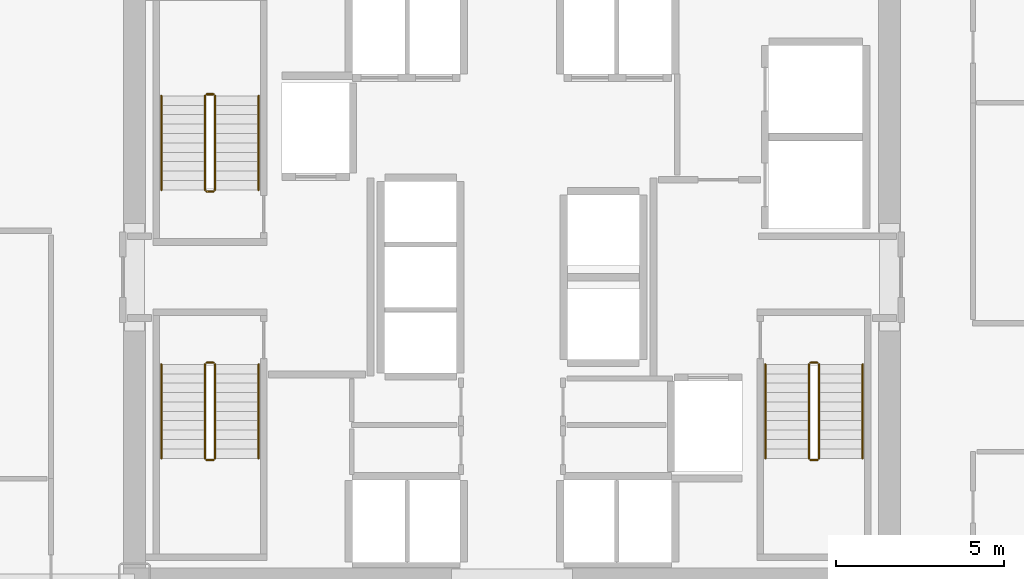
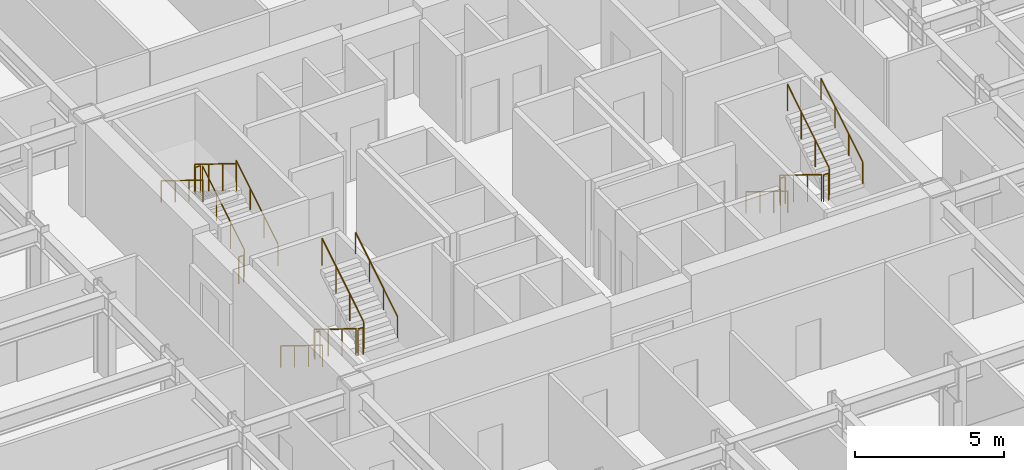
# One storey, part 26 of 26: 18 railings.
"""IFC4 building model written with IfcOpenShell, lengths in metres."""

import ifcopenshell
import ifcopenshell.guid

model = None  # the IFC model being written
_history = None  # IfcOwnerHistory: only IFC2X3 demands one
_inside = {}  # id of a spatial element -> (the spatial element, [elements in it])
_under = {}  # id of a project, library or spatial element -> (it, [spatial elements below it])
_declared = {}  # id of a project -> (the project, [libraries it declares])
_typed = {}  # id of a type object -> (the type object, [elements of that type])
_made_of = {}  # id of a material, layer set ... -> (it, [elements and type objects made of it])


def new_model(schema):
    """Start an empty IFC model of exactly this schema.

    Asked for "IFC4X3", IfcOpenShell would pick the latest addendum, in which some entities
    have other attributes; the version numbers below select the first issue.
    IFC2X3 requires an IfcOwnerHistory on every rooted entity: one is made here for all.
    """
    global model, _history
    if schema == "IFC4X3":
        model = ifcopenshell.file(schema_version=(4, 3, 0, 0))
    else:
        model = ifcopenshell.file(schema=schema)
    _inside.clear()
    _under.clear()
    _declared.clear()
    _typed.clear()
    _made_of.clear()
    _history = None
    if model.schema == "IFC2X3":
        org = make("IfcOrganization", Name="unknown")
        user = make(
            "IfcPersonAndOrganization",
            ThePerson=make("IfcPerson", FamilyName="unknown"),
            TheOrganization=org,
        )
        app = make(
            "IfcApplication",
            ApplicationDeveloper=org,
            Version="unknown",
            ApplicationFullName="unknown",
            ApplicationIdentifier="unknown",
        )
        _history = make(
            "IfcOwnerHistory",
            OwningUser=user,
            OwningApplication=app,
            ChangeAction="ADDED",
            CreationDate=0,
        )
    return model


def make(cls, **values):
    """One entity of the class cls with the attributes given. An attribute that is None is left unset."""
    return model.create_entity(
        cls, **{name: value for name, value in values.items() if value is not None}
    )


def rooted(cls, **values):
    """An entity with a GlobalId (a new one), such as an element, a storey or a relation."""
    return make(cls, GlobalId=ifcopenshell.guid.new(), OwnerHistory=_history, **values)


def si_unit(unit_type, name, prefix=None):
    """IfcSIUnit, for example si_unit("LENGTHUNIT", "METRE", prefix="MILLI")."""
    return make("IfcSIUnit", UnitType=unit_type, Prefix=prefix, Name=name)


def assignment(units):
    """IfcUnitAssignment: the units of a project."""
    return None if units is None else make("IfcUnitAssignment", Units=units)


def point(xyz):
    """IfcCartesianPoint."""
    return None if xyz is None else make("IfcCartesianPoint", Coordinates=xyz)


def direction(xyz):
    """IfcDirection."""
    return None if xyz is None else make("IfcDirection", DirectionRatios=xyz)


def frame(location, z_axis=None, x_axis=None):
    """IfcAxis2Placement3D, a coordinate frame: its origin and axes. An axis left out is left unset."""
    return make(
        "IfcAxis2Placement3D",
        Location=point(location),
        Axis=direction(z_axis),
        RefDirection=direction(x_axis),
    )


def frame_2d(location, x_axis=None):
    """IfcAxis2Placement2D, a coordinate frame in the plane: its origin and x axis."""
    return make(
        "IfcAxis2Placement2D", Location=point(location), RefDirection=direction(x_axis)
    )


def origin():
    """The frame at (0, 0, 0) with its axes left unset."""
    return frame((0.0, 0.0, 0.0))


def origin_2d():
    """The frame at (0, 0) in the plane with its x axis left unset."""
    return frame_2d((0.0, 0.0))


def place(relative_to, where):
    """IfcLocalPlacement: puts the frame where relative to a parent placement (None: the world)."""
    return make(
        "IfcLocalPlacement", PlacementRelTo=relative_to, RelativePlacement=where
    )


def context(
    kind, dimensions, precision=None, world=None, true_north=None, identifier=None
):
    """IfcGeometricRepresentationContext, for example the 3D "Model" context."""
    return make(
        "IfcGeometricRepresentationContext",
        ContextIdentifier=identifier,
        ContextType=kind,
        CoordinateSpaceDimension=dimensions,
        Precision=precision,
        WorldCoordinateSystem=world,
        TrueNorth=true_north,
    )


def subcontext(parent, identifier, kind, view, scale=None):
    """IfcGeometricRepresentationSubContext, for example "Body" below "Model"."""
    return make(
        "IfcGeometricRepresentationSubContext",
        ContextIdentifier=identifier,
        ContextType=kind,
        ParentContext=parent,
        TargetScale=scale,
        TargetView=view,
    )


def project(units=None, contexts=None):
    """IfcProject with its units and contexts."""
    return rooted(
        "IfcProject",
        Name="project",
        RepresentationContexts=contexts,
        UnitsInContext=assignment(units),
    )


def spatial(cls, under=None, at=None, **own):
    """A site, building, storey or space (cls), placed at a placement, below another one or the project."""
    s = rooted(cls, ObjectPlacement=at, **own)
    if under is not None:
        _under.setdefault(under.id(), (under, []))[1].append(s)
    return s


def profile(cls, at=None, kind="AREA", **sizes):
    """A parametric profile (cls). Its sizes go by their IFC names, for example OverallWidth=200.0."""
    return make(cls, ProfileType=kind, Position=at, **sizes)


def circle(**sizes):
    """IfcCircleProfileDef."""
    return profile("IfcCircleProfileDef", **sizes)


def extrude(swept, where, along, depth):
    """IfcExtrudedAreaSolid: the profile swept, set in the frame where, extruded along a direction by depth."""
    return make(
        "IfcExtrudedAreaSolid",
        SweptArea=swept,
        Position=where,
        ExtrudedDirection=direction(along),
        Depth=depth,
    )


def shape(context_of_items, identifier, shape_type, items):
    """IfcShapeRepresentation: the items that make up one representation, for example the "Body"."""
    return make(
        "IfcShapeRepresentation",
        ContextOfItems=context_of_items,
        RepresentationIdentifier=identifier,
        RepresentationType=shape_type,
        Items=items,
    )


def material(Name=None, Category=None):
    """IfcMaterial."""
    return make("IfcMaterial", Name=Name, Category=Category)


def made_of(thing, what):
    """Note that an element or type object is made of a material, layer set ...; save() writes the relation."""
    if what is not None:
        _made_of.setdefault(what.id(), (what, []))[1].append(thing)
    return thing


def type_object(cls, material=None, **own):
    """A type object (cls), such as IfcWallType, which elements share."""
    return made_of(rooted(cls, **own), material)


def element(
    cls,
    number,
    at=None,
    inside=None,
    cuts=None,
    type_object=None,
    material=None,
    context=None,
    identifier="Body",
    shape_type=None,
    held_by="IfcProductDefinitionShape",
    body=None,
    shapes=None,
    **own,
):
    """One element of the class cls, such as IfcWall. Its Tag is "e" and its number.

    at: its placement. inside: the storey or other place that contains it. cuts: it is an
    opening in that element (IfcRelVoidsElement). A single representation is given by context,
    identifier, shape_type and body (its items); several are given by shapes. held_by: the class
    of the entity that holds the representations. save() writes the other relations.
    """
    e = rooted(cls, Tag="e%d" % number, ObjectPlacement=at, **own)
    if body is not None:
        shapes = [shape(context, identifier, shape_type, body)]
    if shapes is not None:
        e.Representation = make(held_by, Representations=shapes)
    if inside is not None:
        _inside.setdefault(inside.id(), (inside, []))[1].append(e)
    if cuts is not None:
        rooted(
            "IfcRelVoidsElement", RelatingBuildingElement=cuts, RelatedOpeningElement=e
        )
    if type_object is not None:
        _typed.setdefault(type_object.id(), (type_object, []))[1].append(e)
    return made_of(e, material)


def aggregate(whole, parts):
    """IfcRelAggregates: a whole, such as a stair, and the parts it consists of."""
    return rooted("IfcRelAggregates", RelatingObject=whole, RelatedObjects=parts)


def save(model, path):
    """Write the relations noted so far, then the file.

    IfcRelAggregates (storeys below a building ...), IfcRelContainedInSpatialStructure (elements
    in a storey), IfcRelDefinesByType, IfcRelAssociatesMaterial and IfcRelDeclares: one each for
    every whole, place, type object, material and project.
    """
    for whole, parts in _under.values():
        aggregate(whole, parts)
    for where, things in _inside.values():
        rooted(
            "IfcRelContainedInSpatialStructure",
            RelatedElements=things,
            RelatingStructure=where,
        )
    for kind, things in _typed.values():
        rooted("IfcRelDefinesByType", RelatedObjects=things, RelatingType=kind)
    for what, things in _made_of.values():
        rooted("IfcRelAssociatesMaterial", RelatedObjects=things, RelatingMaterial=what)
    for by, libraries in _declared.values():
        rooted("IfcRelDeclares", RelatingContext=by, RelatedDefinitions=libraries)
    model.write(path)


model = new_model("IFC4")

# Units and contexts
model_context = context("Model", 3, precision=1e-05, world=origin(), true_north=direction((0.0, 1.0)))
body_context = subcontext(model_context, "Body", "Model", "MODEL_VIEW")
ifc_project = project(units=[si_unit("LENGTHUNIT", "METRE"), si_unit("AREAUNIT", "SQUARE_METRE"), si_unit("VOLUMEUNIT", "CUBIC_METRE"), si_unit("PLANEANGLEUNIT", "RADIAN"), si_unit("MASSUNIT", "GRAM", prefix="KILO")], contexts=[model_context])

# Site, building, storey
site_placement = place(None, origin())
site = spatial("IfcSite", under=ifc_project, at=site_placement, CompositionType="ELEMENT")
building_placement = place(site_placement, origin())
building = spatial("IfcBuilding", under=site, at=building_placement, Name="Nefas-Gora Pilgrimage Tower", CompositionType="ELEMENT")
storey_placement = place(building_placement, frame((0.0, 0.0, 59.60009765625)))
storey = spatial("IfcBuildingStorey", under=building, at=storey_placement, Name="L13", CompositionType="ELEMENT", Elevation=59.60009765625)

# Railings
ifc_material_1 = material(Name="Painted galvanised steel", Category="steel")
railing_type_1 = type_object("IfcRailingType", Name="RLG-STR-GUARD-1100", PredefinedType="GUARDRAIL", material=ifc_material_1)
railing_1_placement = place(storey_placement, frame((-8.85009765625, 2.60009765625, 0.172607421875)))
element("IfcRailing", 1, at=railing_1_placement, inside=storey, type_object=railing_type_1, Name="L13 ST-01 stair guard 1", PredefinedType="GUARDRAIL", context=body_context, shape_type="SweptSolid", body=[
    extrude(circle(Radius=0.02392578125, at=origin_2d()), frame((0.0, 0.0, 1.09619140625), z_axis=(0.0, 0.851069175582, 0.525053576669), x_axis=(-1.0, 0.0, 0.0)), (0.0, 0.0, 1.0), 3.289794921875),
    extrude(circle(Radius=0.02099609375, at=origin_2d()), origin(), (0.0, 0.0, 1.0), 1.072021484375),
    extrude(circle(Radius=0.02099609375, at=origin_2d()), frame((0.0, 0.933349609375, 0.57568359375)), (0.0, 0.0, 1.0), 1.072021484375),
    extrude(circle(Radius=0.02099609375, at=origin_2d()), frame((0.0, 1.866455078125, 1.151611328125)), (0.0, 0.0, 1.0), 1.072021484375),
    extrude(circle(Radius=0.02099609375, at=origin_2d()), frame((0.0, 2.7998046875, 1.727294921875)), (0.0, 0.0, 1.0), 1.072021484375),
])
railing_2_placement = place(storey_placement, frame((-8.89990234375, 5.449951171875, 1.89990234375)))
element("IfcRailing", 2, at=railing_2_placement, inside=storey, type_object=railing_type_1, Name="L13 ST-01 stair guard 2", PredefinedType="GUARDRAIL", context=body_context, shape_type="SweptSolid", body=[
    extrude(circle(Radius=0.02392578125, at=origin_2d()), frame((0.0, 0.0, 1.09619140625), z_axis=(-1.0, 0.0, 0.0), x_axis=(0.0, -1.0, 0.0)), (0.0, 0.0, 1.0), 0.2001953125),
    extrude(circle(Radius=0.02099609375, at=origin_2d()), origin(), (0.0, 0.0, 1.0), 1.072021484375),
    extrude(circle(Radius=0.02099609375, at=origin_2d()), frame((-0.2001953125, 0.0, 0.0)), (0.0, 0.0, 1.0), 1.072021484375),
])
railing_3_placement = place(storey_placement, frame((-9.14990234375, 5.39990234375, 2.072509765625)))
element("IfcRailing", 3, at=railing_3_placement, inside=storey, type_object=railing_type_1, Name="L13 ST-01 stair guard 3", PredefinedType="GUARDRAIL", context=body_context, shape_type="SweptSolid", body=[
    extrude(circle(Radius=0.02392578125, at=origin_2d()), frame((0.0, 0.0, 1.09619140625), z_axis=(0.0, -0.851069175582, 0.525053576669), x_axis=(1.0, 0.0, 0.0)), (0.0, 0.0, 1.0), 3.289794921875),
    extrude(circle(Radius=0.02099609375, at=origin_2d()), origin(), (0.0, 0.0, 1.0), 1.072021484375),
    extrude(circle(Radius=0.02099609375, at=origin_2d()), frame((0.0, -0.933349609375, 0.57568359375)), (0.0, 0.0, 1.0), 1.072021484375),
    extrude(circle(Radius=0.02099609375, at=origin_2d()), frame((0.0, -1.866455078125, 1.151611328125)), (0.0, 0.0, 1.0), 1.072021484375),
    extrude(circle(Radius=0.02099609375, at=origin_2d()), frame((0.0, -2.7998046875, 1.727294921875)), (0.0, 0.0, 1.0), 1.072021484375),
])
railing_4_placement = place(storey_placement, frame((-8.89990234375, 2.550048828125, 0.0)))
element("IfcRailing", 4, at=railing_4_placement, inside=storey, type_object=railing_type_1, Name="L13 ST-01 stair guard 4", PredefinedType="GUARDRAIL", context=body_context, shape_type="SweptSolid", body=[
    extrude(circle(Radius=0.02392578125, at=origin_2d()), frame((0.0, 0.0, 1.09619140625), z_axis=(-1.0, 0.0, 0.0), x_axis=(0.0, -1.0, 0.0)), (0.0, 0.0, 1.0), 0.2001953125),
    extrude(circle(Radius=0.02099609375, at=origin_2d()), origin(), (0.0, 0.0, 1.0), 1.072021484375),
    extrude(circle(Radius=0.02099609375, at=origin_2d()), frame((-0.2001953125, 0.0, 0.0)), (0.0, 0.0, 1.0), 1.072021484375),
])
railing_5_placement = place(storey_placement, frame((8.85009765625, -2.60009765625, 0.172607421875)))
element("IfcRailing", 5, at=railing_5_placement, inside=storey, type_object=railing_type_1, Name="L13 ST-02 stair guard 1", PredefinedType="GUARDRAIL", context=body_context, shape_type="SweptSolid", body=[
    extrude(circle(Radius=0.02392578125, at=origin_2d()), frame((0.0, 0.0, 1.09619140625), z_axis=(0.0, -0.851069175582, 0.525053576669), x_axis=(1.0, 0.0, 0.0)), (0.0, 0.0, 1.0), 3.289794921875),
    extrude(circle(Radius=0.02099609375, at=origin_2d()), origin(), (0.0, 0.0, 1.0), 1.072021484375),
    extrude(circle(Radius=0.02099609375, at=origin_2d()), frame((0.0, -0.933349609375, 0.57568359375)), (0.0, 0.0, 1.0), 1.072021484375),
    extrude(circle(Radius=0.02099609375, at=origin_2d()), frame((0.0, -1.866455078125, 1.151611328125)), (0.0, 0.0, 1.0), 1.072021484375),
    extrude(circle(Radius=0.02099609375, at=origin_2d()), frame((0.0, -2.7998046875, 1.727294921875)), (0.0, 0.0, 1.0), 1.072021484375),
])
railing_6_placement = place(storey_placement, frame((8.89990234375, -5.449951171875, 1.89990234375)))
element("IfcRailing", 6, at=railing_6_placement, inside=storey, type_object=railing_type_1, Name="L13 ST-02 stair guard 2", PredefinedType="GUARDRAIL", context=body_context, shape_type="SweptSolid", body=[
    extrude(circle(Radius=0.02392578125, at=origin_2d()), frame((0.0, 0.0, 1.09619140625), z_axis=(1.0, 0.0, 0.0), x_axis=(0.0, 1.0, 0.0)), (0.0, 0.0, 1.0), 0.2001953125),
    extrude(circle(Radius=0.02099609375, at=origin_2d()), origin(), (0.0, 0.0, 1.0), 1.072021484375),
    extrude(circle(Radius=0.02099609375, at=origin_2d()), frame((0.2001953125, 0.0, 0.0)), (0.0, 0.0, 1.0), 1.072021484375),
])
railing_7_placement = place(storey_placement, frame((9.14990234375, -5.39990234375, 2.072509765625)))
element("IfcRailing", 7, at=railing_7_placement, inside=storey, type_object=railing_type_1, Name="L13 ST-02 stair guard 3", PredefinedType="GUARDRAIL", context=body_context, shape_type="SweptSolid", body=[
    extrude(circle(Radius=0.02392578125, at=origin_2d()), frame((0.0, 0.0, 1.09619140625), z_axis=(0.0, 0.851069175582, 0.525053576669), x_axis=(-1.0, 0.0, 0.0)), (0.0, 0.0, 1.0), 3.289794921875),
    extrude(circle(Radius=0.02099609375, at=origin_2d()), origin(), (0.0, 0.0, 1.0), 1.072021484375),
    extrude(circle(Radius=0.02099609375, at=origin_2d()), frame((0.0, 0.933349609375, 0.57568359375)), (0.0, 0.0, 1.0), 1.072021484375),
    extrude(circle(Radius=0.02099609375, at=origin_2d()), frame((0.0, 1.866455078125, 1.151611328125)), (0.0, 0.0, 1.0), 1.072021484375),
    extrude(circle(Radius=0.02099609375, at=origin_2d()), frame((0.0, 2.7998046875, 1.727294921875)), (0.0, 0.0, 1.0), 1.072021484375),
])
railing_8_placement = place(storey_placement, frame((8.89990234375, -2.550048828125, 0.0)))
element("IfcRailing", 8, at=railing_8_placement, inside=storey, type_object=railing_type_1, Name="L13 ST-02 stair guard 4", PredefinedType="GUARDRAIL", context=body_context, shape_type="SweptSolid", body=[
    extrude(circle(Radius=0.02392578125, at=origin_2d()), frame((0.0, 0.0, 1.09619140625), z_axis=(1.0, 0.0, 0.0), x_axis=(0.0, 1.0, 0.0)), (0.0, 0.0, 1.0), 0.2001953125),
    extrude(circle(Radius=0.02099609375, at=origin_2d()), origin(), (0.0, 0.0, 1.0), 1.072021484375),
    extrude(circle(Radius=0.02099609375, at=origin_2d()), frame((0.2001953125, 0.0, 0.0)), (0.0, 0.0, 1.0), 1.072021484375),
])
railing_9_placement = place(storey_placement, frame((-9.14990234375, -2.60009765625, 0.172607421875)))
element("IfcRailing", 9, at=railing_9_placement, inside=storey, type_object=railing_type_1, Name="L13 ST-03 stair guard 1", PredefinedType="GUARDRAIL", context=body_context, shape_type="SweptSolid", body=[
    extrude(circle(Radius=0.02392578125, at=origin_2d()), frame((0.0, 0.0, 1.09619140625), z_axis=(0.0, -0.851069175582, 0.525053576669), x_axis=(1.0, 0.0, 0.0)), (0.0, 0.0, 1.0), 3.289794921875),
    extrude(circle(Radius=0.02099609375, at=origin_2d()), origin(), (0.0, 0.0, 1.0), 1.072021484375),
    extrude(circle(Radius=0.02099609375, at=origin_2d()), frame((0.0, -0.933349609375, 0.57568359375)), (0.0, 0.0, 1.0), 1.072021484375),
    extrude(circle(Radius=0.02099609375, at=origin_2d()), frame((0.0, -1.866455078125, 1.151611328125)), (0.0, 0.0, 1.0), 1.072021484375),
    extrude(circle(Radius=0.02099609375, at=origin_2d()), frame((0.0, -2.7998046875, 1.727294921875)), (0.0, 0.0, 1.0), 1.072021484375),
])
railing_10_placement = place(storey_placement, frame((-9.10009765625, -5.449951171875, 1.89990234375)))
element("IfcRailing", 10, at=railing_10_placement, inside=storey, type_object=railing_type_1, Name="L13 ST-03 stair guard 2", PredefinedType="GUARDRAIL", context=body_context, shape_type="SweptSolid", body=[
    extrude(circle(Radius=0.02392578125, at=origin_2d()), frame((0.0, 0.0, 1.09619140625), z_axis=(1.0, 0.0, 0.0), x_axis=(0.0, 1.0, 0.0)), (0.0, 0.0, 1.0), 0.2001953125),
    extrude(circle(Radius=0.02099609375, at=origin_2d()), origin(), (0.0, 0.0, 1.0), 1.072021484375),
    extrude(circle(Radius=0.02099609375, at=origin_2d()), frame((0.2001953125, 0.0, 0.0)), (0.0, 0.0, 1.0), 1.072021484375),
])
railing_11_placement = place(storey_placement, frame((-8.85009765625, -5.39990234375, 2.072509765625)))
element("IfcRailing", 11, at=railing_11_placement, inside=storey, type_object=railing_type_1, Name="L13 ST-03 stair guard 3", PredefinedType="GUARDRAIL", context=body_context, shape_type="SweptSolid", body=[
    extrude(circle(Radius=0.02392578125, at=origin_2d()), frame((0.0, 0.0, 1.09619140625), z_axis=(0.0, 0.851069175582, 0.525053576669), x_axis=(-1.0, 0.0, 0.0)), (0.0, 0.0, 1.0), 3.289794921875),
    extrude(circle(Radius=0.02099609375, at=origin_2d()), origin(), (0.0, 0.0, 1.0), 1.072021484375),
    extrude(circle(Radius=0.02099609375, at=origin_2d()), frame((0.0, 0.933349609375, 0.57568359375)), (0.0, 0.0, 1.0), 1.072021484375),
    extrude(circle(Radius=0.02099609375, at=origin_2d()), frame((0.0, 1.866455078125, 1.151611328125)), (0.0, 0.0, 1.0), 1.072021484375),
    extrude(circle(Radius=0.02099609375, at=origin_2d()), frame((0.0, 2.7998046875, 1.727294921875)), (0.0, 0.0, 1.0), 1.072021484375),
])
railing_12_placement = place(storey_placement, frame((-9.10009765625, -2.550048828125, 0.0)))
element("IfcRailing", 12, at=railing_12_placement, inside=storey, type_object=railing_type_1, Name="L13 ST-03 stair guard 4", PredefinedType="GUARDRAIL", context=body_context, shape_type="SweptSolid", body=[
    extrude(circle(Radius=0.02392578125, at=origin_2d()), frame((0.0, 0.0, 1.09619140625), z_axis=(1.0, 0.0, 0.0), x_axis=(0.0, 1.0, 0.0)), (0.0, 0.0, 1.0), 0.2001953125),
    extrude(circle(Radius=0.02099609375, at=origin_2d()), origin(), (0.0, 0.0, 1.0), 1.072021484375),
    extrude(circle(Radius=0.02099609375, at=origin_2d()), frame((0.2001953125, 0.0, 0.0)), (0.0, 0.0, 1.0), 1.072021484375),
])
ifc_material_2 = material(Name="Brushed stainless steel", Category="steel")
railing_type_2 = type_object("IfcRailingType", Name="RLG-STR-HAND-900", PredefinedType="HANDRAIL", material=ifc_material_2)
railing_13_placement = place(storey_placement, frame((-7.550048828125, 2.60009765625, 0.172607421875)))
element("IfcRailing", 13, at=railing_13_placement, inside=storey, type_object=railing_type_2, Name="L13 ST-01 stair handrail 1", PredefinedType="HANDRAIL", context=body_context, shape_type="SweptSolid", body=[
    extrude(circle(Radius=0.02392578125, at=origin_2d()), frame((0.0, 0.0, 0.8759765625), z_axis=(0.0, 0.851069175582, 0.525053576669), x_axis=(-1.0, 0.0, 0.0)), (0.0, 0.0, 1.0), 3.289794921875),
    extrude(circle(Radius=0.02099609375, at=origin_2d()), origin(), (0.0, 0.0, 1.0), 0.851806640625),
    extrude(circle(Radius=0.02099609375, at=origin_2d()), frame((0.0, 0.933349609375, 0.57568359375)), (0.0, 0.0, 1.0), 0.851806640625),
    extrude(circle(Radius=0.02099609375, at=origin_2d()), frame((0.0, 1.866455078125, 1.151611328125)), (0.0, 0.0, 1.0), 0.851806640625),
    extrude(circle(Radius=0.02099609375, at=origin_2d()), frame((0.0, 2.7998046875, 1.727294921875)), (0.0, 0.0, 1.0), 0.851806640625),
])
for number, where, name in (
    (14, (-10.449951171875, 5.39990234375, 2.072509765625), "L13 ST-01 stair handrail 2"),
    (15, (7.550048828125, -2.60009765625, 0.172607421875), "L13 ST-02 stair handrail 1"),
):
    element("IfcRailing", number, at=place(storey_placement, frame(where)), inside=storey, type_object=railing_type_2, Name=name, PredefinedType="HANDRAIL", context=body_context, shape_type="SweptSolid", body=[
        extrude(circle(Radius=0.02392578125, at=origin_2d()), frame((0.0, 0.0, 0.8759765625), z_axis=(0.0, -0.851069175582, 0.525053576669), x_axis=(1.0, 0.0, 0.0)), (0.0, 0.0, 1.0), 3.289794921875),
        extrude(circle(Radius=0.02099609375, at=origin_2d()), origin(), (0.0, 0.0, 1.0), 0.851806640625),
        extrude(circle(Radius=0.02099609375, at=origin_2d()), frame((0.0, -0.933349609375, 0.57568359375)), (0.0, 0.0, 1.0), 0.851806640625),
        extrude(circle(Radius=0.02099609375, at=origin_2d()), frame((0.0, -1.866455078125, 1.151611328125)), (0.0, 0.0, 1.0), 0.851806640625),
        extrude(circle(Radius=0.02099609375, at=origin_2d()), frame((0.0, -2.7998046875, 1.727294921875)), (0.0, 0.0, 1.0), 0.851806640625),
    ])
railing_14_placement = place(storey_placement, frame((10.449951171875, -5.39990234375, 2.072509765625)))
element("IfcRailing", 16, at=railing_14_placement, inside=storey, type_object=railing_type_2, Name="L13 ST-02 stair handrail 2", PredefinedType="HANDRAIL", context=body_context, shape_type="SweptSolid", body=[
    extrude(circle(Radius=0.02392578125, at=origin_2d()), frame((0.0, 0.0, 0.8759765625), z_axis=(0.0, 0.851069175582, 0.525053576669), x_axis=(-1.0, 0.0, 0.0)), (0.0, 0.0, 1.0), 3.289794921875),
    extrude(circle(Radius=0.02099609375, at=origin_2d()), origin(), (0.0, 0.0, 1.0), 0.851806640625),
    extrude(circle(Radius=0.02099609375, at=origin_2d()), frame((0.0, 0.933349609375, 0.57568359375)), (0.0, 0.0, 1.0), 0.851806640625),
    extrude(circle(Radius=0.02099609375, at=origin_2d()), frame((0.0, 1.866455078125, 1.151611328125)), (0.0, 0.0, 1.0), 0.851806640625),
    extrude(circle(Radius=0.02099609375, at=origin_2d()), frame((0.0, 2.7998046875, 1.727294921875)), (0.0, 0.0, 1.0), 0.851806640625),
])
railing_15_placement = place(storey_placement, frame((-10.449951171875, -2.60009765625, 0.172607421875)))
element("IfcRailing", 17, at=railing_15_placement, inside=storey, type_object=railing_type_2, Name="L13 ST-03 stair handrail 1", PredefinedType="HANDRAIL", context=body_context, shape_type="SweptSolid", body=[
    extrude(circle(Radius=0.02392578125, at=origin_2d()), frame((0.0, 0.0, 0.8759765625), z_axis=(0.0, -0.851069175582, 0.525053576669), x_axis=(1.0, 0.0, 0.0)), (0.0, 0.0, 1.0), 3.289794921875),
    extrude(circle(Radius=0.02099609375, at=origin_2d()), origin(), (0.0, 0.0, 1.0), 0.851806640625),
    extrude(circle(Radius=0.02099609375, at=origin_2d()), frame((0.0, -0.933349609375, 0.57568359375)), (0.0, 0.0, 1.0), 0.851806640625),
    extrude(circle(Radius=0.02099609375, at=origin_2d()), frame((0.0, -1.866455078125, 1.151611328125)), (0.0, 0.0, 1.0), 0.851806640625),
    extrude(circle(Radius=0.02099609375, at=origin_2d()), frame((0.0, -2.7998046875, 1.727294921875)), (0.0, 0.0, 1.0), 0.851806640625),
])
railing_16_placement = place(storey_placement, frame((-7.550048828125, -5.39990234375, 2.072509765625)))
element("IfcRailing", 18, at=railing_16_placement, inside=storey, type_object=railing_type_2, Name="L13 ST-03 stair handrail 2", PredefinedType="HANDRAIL", context=body_context, shape_type="SweptSolid", body=[
    extrude(circle(Radius=0.02392578125, at=origin_2d()), frame((0.0, 0.0, 0.8759765625), z_axis=(0.0, 0.851069175582, 0.525053576669), x_axis=(-1.0, 0.0, 0.0)), (0.0, 0.0, 1.0), 3.289794921875),
    extrude(circle(Radius=0.02099609375, at=origin_2d()), origin(), (0.0, 0.0, 1.0), 0.851806640625),
    extrude(circle(Radius=0.02099609375, at=origin_2d()), frame((0.0, 0.933349609375, 0.57568359375)), (0.0, 0.0, 1.0), 0.851806640625),
    extrude(circle(Radius=0.02099609375, at=origin_2d()), frame((0.0, 1.866455078125, 1.151611328125)), (0.0, 0.0, 1.0), 0.851806640625),
    extrude(circle(Radius=0.02099609375, at=origin_2d()), frame((0.0, 2.7998046875, 1.727294921875)), (0.0, 0.0, 1.0), 0.851806640625),
])

save(model, "model.ifc")
